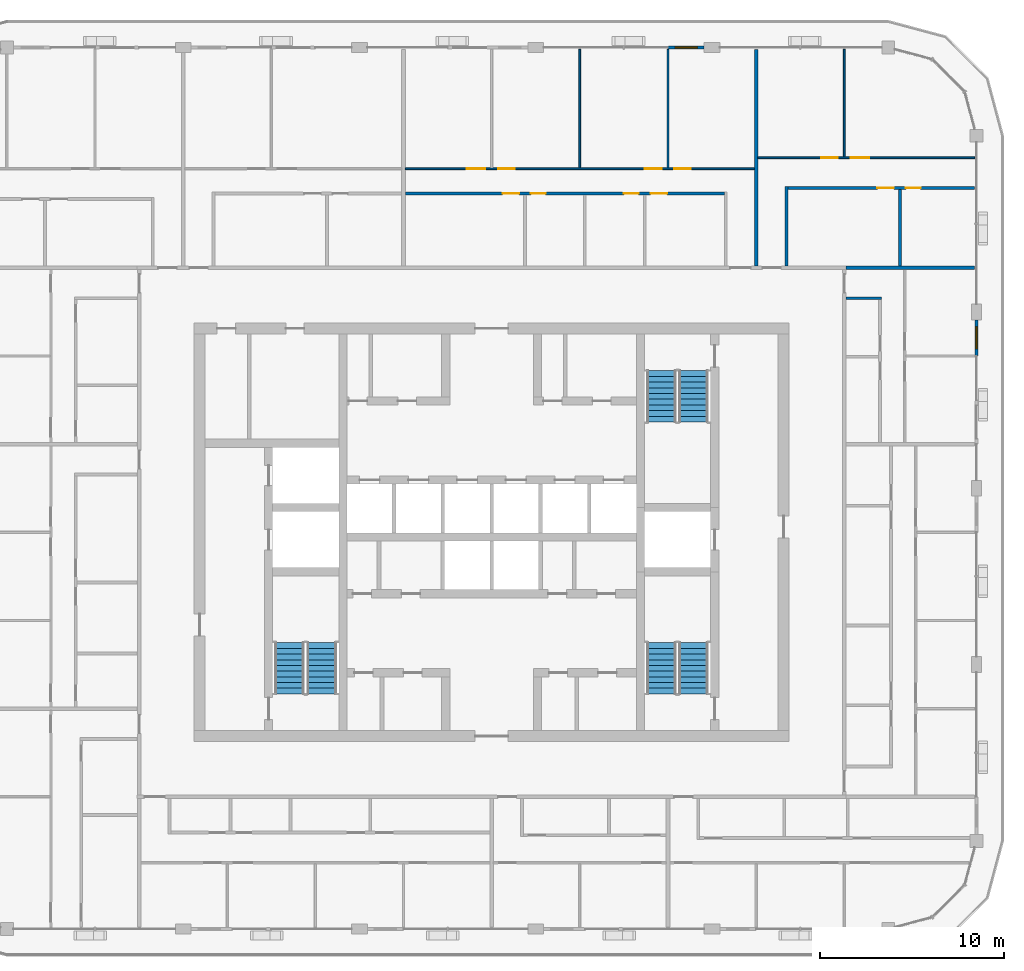
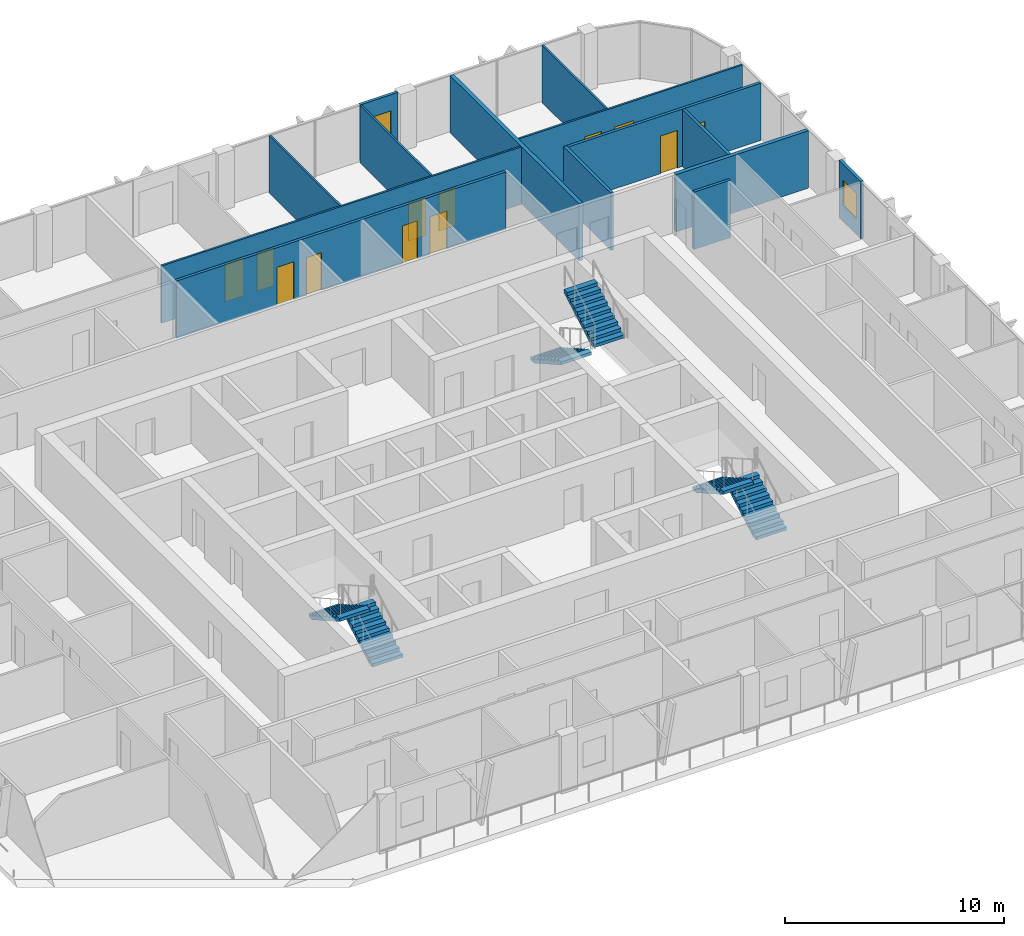
# One storey, part 15 of 21: 14 walls, 12 doors, 6 stair flights, 2 windows, 14 openings, 3 elements without a shape of their own.
"""IFC4 building model written with IfcOpenShell, lengths in metres."""

import ifcopenshell
import ifcopenshell.guid

model = None  # the IFC model being written
_history = None  # IfcOwnerHistory: only IFC2X3 demands one
_inside = {}  # id of a spatial element -> (the spatial element, [elements in it])
_under = {}  # id of a project, library or spatial element -> (it, [spatial elements below it])
_declared = {}  # id of a project -> (the project, [libraries it declares])
_typed = {}  # id of a type object -> (the type object, [elements of that type])
_made_of = {}  # id of a material, layer set ... -> (it, [elements and type objects made of it])


def new_model(schema):
    """Start an empty IFC model of exactly this schema.

    Asked for "IFC4X3", IfcOpenShell would pick the latest addendum, in which some entities
    have other attributes; the version numbers below select the first issue.
    IFC2X3 requires an IfcOwnerHistory on every rooted entity: one is made here for all.
    """
    global model, _history
    if schema == "IFC4X3":
        model = ifcopenshell.file(schema_version=(4, 3, 0, 0))
    else:
        model = ifcopenshell.file(schema=schema)
    _inside.clear()
    _under.clear()
    _declared.clear()
    _typed.clear()
    _made_of.clear()
    _history = None
    if model.schema == "IFC2X3":
        org = make("IfcOrganization", Name="unknown")
        user = make(
            "IfcPersonAndOrganization",
            ThePerson=make("IfcPerson", FamilyName="unknown"),
            TheOrganization=org,
        )
        app = make(
            "IfcApplication",
            ApplicationDeveloper=org,
            Version="unknown",
            ApplicationFullName="unknown",
            ApplicationIdentifier="unknown",
        )
        _history = make(
            "IfcOwnerHistory",
            OwningUser=user,
            OwningApplication=app,
            ChangeAction="ADDED",
            CreationDate=0,
        )
    return model


def make(cls, **values):
    """One entity of the class cls with the attributes given. An attribute that is None is left unset."""
    return model.create_entity(
        cls, **{name: value for name, value in values.items() if value is not None}
    )


def rooted(cls, **values):
    """An entity with a GlobalId (a new one), such as an element, a storey or a relation."""
    return make(cls, GlobalId=ifcopenshell.guid.new(), OwnerHistory=_history, **values)


def si_unit(unit_type, name, prefix=None):
    """IfcSIUnit, for example si_unit("LENGTHUNIT", "METRE", prefix="MILLI")."""
    return make("IfcSIUnit", UnitType=unit_type, Prefix=prefix, Name=name)


def assignment(units):
    """IfcUnitAssignment: the units of a project."""
    return None if units is None else make("IfcUnitAssignment", Units=units)


def point(xyz):
    """IfcCartesianPoint."""
    return None if xyz is None else make("IfcCartesianPoint", Coordinates=xyz)


def direction(xyz):
    """IfcDirection."""
    return None if xyz is None else make("IfcDirection", DirectionRatios=xyz)


def frame(location, z_axis=None, x_axis=None):
    """IfcAxis2Placement3D, a coordinate frame: its origin and axes. An axis left out is left unset."""
    return make(
        "IfcAxis2Placement3D",
        Location=point(location),
        Axis=direction(z_axis),
        RefDirection=direction(x_axis),
    )


def frame_2d(location, x_axis=None):
    """IfcAxis2Placement2D, a coordinate frame in the plane: its origin and x axis."""
    return make(
        "IfcAxis2Placement2D", Location=point(location), RefDirection=direction(x_axis)
    )


def origin():
    """The frame at (0, 0, 0) with its axes left unset."""
    return frame((0.0, 0.0, 0.0))


def place(relative_to, where):
    """IfcLocalPlacement: puts the frame where relative to a parent placement (None: the world)."""
    return make(
        "IfcLocalPlacement", PlacementRelTo=relative_to, RelativePlacement=where
    )


def context(
    kind, dimensions, precision=None, world=None, true_north=None, identifier=None
):
    """IfcGeometricRepresentationContext, for example the 3D "Model" context."""
    return make(
        "IfcGeometricRepresentationContext",
        ContextIdentifier=identifier,
        ContextType=kind,
        CoordinateSpaceDimension=dimensions,
        Precision=precision,
        WorldCoordinateSystem=world,
        TrueNorth=true_north,
    )


def subcontext(parent, identifier, kind, view, scale=None):
    """IfcGeometricRepresentationSubContext, for example "Body" below "Model"."""
    return make(
        "IfcGeometricRepresentationSubContext",
        ContextIdentifier=identifier,
        ContextType=kind,
        ParentContext=parent,
        TargetScale=scale,
        TargetView=view,
    )


def project(units=None, contexts=None):
    """IfcProject with its units and contexts."""
    return rooted(
        "IfcProject",
        Name="project",
        RepresentationContexts=contexts,
        UnitsInContext=assignment(units),
    )


def spatial(cls, under=None, at=None, **own):
    """A site, building, storey or space (cls), placed at a placement, below another one or the project."""
    s = rooted(cls, ObjectPlacement=at, **own)
    if under is not None:
        _under.setdefault(under.id(), (under, []))[1].append(s)
    return s


def polyline(points):
    """IfcPolyline through the points."""
    return make("IfcPolyline", Points=[point(p) for p in points])


def profile(cls, at=None, kind="AREA", **sizes):
    """A parametric profile (cls). Its sizes go by their IFC names, for example OverallWidth=200.0."""
    return make(cls, ProfileType=kind, Position=at, **sizes)


def rectangle(**sizes):
    """IfcRectangleProfileDef."""
    return profile("IfcRectangleProfileDef", **sizes)


def outline(outer, holes=None, kind="AREA"):
    """IfcArbitraryClosedProfileDef: a profile drawn as a closed curve; with holes, ...WithVoids."""
    if holes is None:
        return make("IfcArbitraryClosedProfileDef", ProfileType=kind, OuterCurve=outer)
    return make(
        "IfcArbitraryProfileDefWithVoids",
        ProfileType=kind,
        OuterCurve=outer,
        InnerCurves=holes,
    )


def extrude(swept, where, along, depth):
    """IfcExtrudedAreaSolid: the profile swept, set in the frame where, extruded along a direction by depth."""
    return make(
        "IfcExtrudedAreaSolid",
        SweptArea=swept,
        Position=where,
        ExtrudedDirection=direction(along),
        Depth=depth,
    )


def shape(context_of_items, identifier, shape_type, items):
    """IfcShapeRepresentation: the items that make up one representation, for example the "Body"."""
    return make(
        "IfcShapeRepresentation",
        ContextOfItems=context_of_items,
        RepresentationIdentifier=identifier,
        RepresentationType=shape_type,
        Items=items,
    )


def material(Name=None, Category=None):
    """IfcMaterial."""
    return make("IfcMaterial", Name=Name, Category=Category)


def layer(
    of_material, thickness, ventilated=None, Name=None, Category=None, Priority=None
):
    """IfcMaterialLayer: one layer of a wall or slab, of a material (None: an air gap)."""
    return make(
        "IfcMaterialLayer",
        Material=of_material,
        LayerThickness=thickness,
        IsVentilated=ventilated,
        Name=Name,
        Category=Category,
        Priority=Priority,
    )


def layer_set(layers, Name=None):
    """IfcMaterialLayerSet."""
    return make("IfcMaterialLayerSet", MaterialLayers=layers, LayerSetName=Name)


def made_of(thing, what):
    """Note that an element or type object is made of a material, layer set ...; save() writes the relation."""
    if what is not None:
        _made_of.setdefault(what.id(), (what, []))[1].append(thing)
    return thing


def type_object(cls, material=None, **own):
    """A type object (cls), such as IfcWallType, which elements share."""
    return made_of(rooted(cls, **own), material)


def element(
    cls,
    number,
    at=None,
    inside=None,
    cuts=None,
    type_object=None,
    material=None,
    context=None,
    identifier="Body",
    shape_type=None,
    held_by="IfcProductDefinitionShape",
    body=None,
    shapes=None,
    **own,
):
    """One element of the class cls, such as IfcWall. Its Tag is "e" and its number.

    at: its placement. inside: the storey or other place that contains it. cuts: it is an
    opening in that element (IfcRelVoidsElement). A single representation is given by context,
    identifier, shape_type and body (its items); several are given by shapes. held_by: the class
    of the entity that holds the representations. save() writes the other relations.
    """
    e = rooted(cls, Tag="e%d" % number, ObjectPlacement=at, **own)
    if body is not None:
        shapes = [shape(context, identifier, shape_type, body)]
    if shapes is not None:
        e.Representation = make(held_by, Representations=shapes)
    if inside is not None:
        _inside.setdefault(inside.id(), (inside, []))[1].append(e)
    if cuts is not None:
        rooted(
            "IfcRelVoidsElement", RelatingBuildingElement=cuts, RelatedOpeningElement=e
        )
    if type_object is not None:
        _typed.setdefault(type_object.id(), (type_object, []))[1].append(e)
    return made_of(e, material)


def fill(opening, filler):
    """IfcRelFillsElement: the door or window that sits in an opening."""
    return rooted(
        "IfcRelFillsElement",
        RelatingOpeningElement=opening,
        RelatedBuildingElement=filler,
    )


def aggregate(whole, parts):
    """IfcRelAggregates: a whole, such as a stair, and the parts it consists of."""
    return rooted("IfcRelAggregates", RelatingObject=whole, RelatedObjects=parts)


def save(model, path):
    """Write the relations noted so far, then the file.

    IfcRelAggregates (storeys below a building ...), IfcRelContainedInSpatialStructure (elements
    in a storey), IfcRelDefinesByType, IfcRelAssociatesMaterial and IfcRelDeclares: one each for
    every whole, place, type object, material and project.
    """
    for whole, parts in _under.values():
        aggregate(whole, parts)
    for where, things in _inside.values():
        rooted(
            "IfcRelContainedInSpatialStructure",
            RelatedElements=things,
            RelatingStructure=where,
        )
    for kind, things in _typed.values():
        rooted("IfcRelDefinesByType", RelatedObjects=things, RelatingType=kind)
    for what, things in _made_of.values():
        rooted("IfcRelAssociatesMaterial", RelatedObjects=things, RelatingMaterial=what)
    for by, libraries in _declared.values():
        rooted("IfcRelDeclares", RelatingContext=by, RelatedDefinitions=libraries)
    model.write(path)


model = new_model("IFC4")

# Units and contexts
model_context = context("Model", 3, precision=1e-05, world=origin(), true_north=direction((0.0, 1.0)))
body_context = subcontext(model_context, "Body", "Model", "MODEL_VIEW")
ifc_project = project(units=[si_unit("LENGTHUNIT", "METRE"), si_unit("AREAUNIT", "SQUARE_METRE"), si_unit("VOLUMEUNIT", "CUBIC_METRE"), si_unit("PLANEANGLEUNIT", "RADIAN"), si_unit("MASSUNIT", "GRAM", prefix="KILO")], contexts=[model_context])

# Site, building, storey
site_placement = place(None, origin())
site = spatial("IfcSite", under=ifc_project, at=site_placement, CompositionType="ELEMENT")
building_placement = place(site_placement, origin())
building = spatial("IfcBuilding", under=site, at=building_placement, Name="Madar Terraces", CompositionType="ELEMENT")
storey_placement = place(building_placement, frame((0.0, 0.0, 245.699951171875)))
storey = spatial("IfcBuildingStorey", under=building, at=storey_placement, Name="L64", CompositionType="ELEMENT", Elevation=245.699951171875)

# Wall, opening, window
ifc_material_1 = material(Name="Aluminium composite panel, black, over insulated backing", Category="aluminium")
ifc_layer_1 = layer(ifc_material_1, 0.14990234375)
ifc_layer_set_1 = layer_set([ifc_layer_1], Name="Facade bay panel 150")
wall_type_1 = type_object("IfcWallType", Name="Facade bay panel 150", PredefinedType="SOLIDWALL", material=ifc_layer_set_1)
wall_1_placement = place(storey_placement, frame((57.60009765625, 36.0, 0.0), z_axis=(0.0, 0.0, 1.0), x_axis=(0.0, 1.0, 0.0)))
wall_1 = element("IfcWall", 1, at=wall_1_placement, inside=storey, type_object=wall_type_1, Name="Facade bay panel", PredefinedType="SOLIDWALL", context=body_context, shape_type="SweptSolid", body=[
    extrude(rectangle(XDim=1.97509765625, YDim=0.14990234375, at=frame_2d((0.987548828125, 0.0))), origin(), (0.0, 0.0, 1.0), 3.199951171875),
])
opening_1_placement = place(wall_1_placement, frame((0.387451171875, 0.0, 0.89990234375)))
opening_1 = element("IfcOpeningElement", 2, at=opening_1_placement, cuts=wall_1, Name="Opening W1", PredefinedType="OPENING", context=body_context, shape_type="SweptSolid", body=[
    extrude(rectangle(XDim=1.199951171875, YDim=1.39990234375, at=frame_2d((0.60009765625, 0.699951171875))), frame((0.0, 0.0849609375, 0.0), z_axis=(0.0, -1.0, 0.0), x_axis=(1.0, 0.0, 0.0)), (0.0, 0.0, 1.0), 0.169921875),
])
ifc_material_2 = material(Name="Glass, clear, with black aluminium frame", Category="aluminium")
window_type = type_object("IfcWindowType", Name="Vent window 1200 x 1400", PartitioningType="SINGLE_PANEL", PredefinedType="WINDOW", material=ifc_material_2)
window_1_placement = place(opening_1_placement, origin())
window_1 = element("IfcWindow", 3, at=window_1_placement, inside=storey, type_object=window_type, Name="Operable vent window", OverallHeight=1.39990234375, OverallWidth=1.199951171875, PartitioningType="SINGLE_PANEL", PredefinedType="WINDOW", context=body_context, shape_type="SweptSolid", body=[
    extrude(rectangle(XDim=1.199951171875, YDim=1.39990234375, at=frame_2d((0.60009765625, 0.699951171875))), frame((0.0, 0.030029296875, 0.0), z_axis=(0.0, -1.0, 0.0), x_axis=(1.0, 0.0, 0.0)), (0.0, 0.0, 1.0), 0.06005859375),
])
fill(opening_1, window_1)

wall_2_placement = place(storey_placement, frame((42.77490234375, 52.800048828125, 0.0), z_axis=(0.0, 0.0, 1.0), x_axis=(-1.0, 0.0, 0.0)))
wall_2 = element("IfcWall", 4, at=wall_2_placement, inside=storey, type_object=wall_type_1, Name="Facade bay panel", PredefinedType="SOLIDWALL", context=body_context, shape_type="SweptSolid", body=[
    extrude(rectangle(XDim=1.974853515625, YDim=0.14990234375, at=frame_2d((0.9873046875, 0.0))), origin(), (0.0, 0.0, 1.0), 3.199951171875),
])
opening_2_placement = place(wall_2_placement, frame((0.387451171875, 0.0, 0.89990234375)))
opening_2 = element("IfcOpeningElement", 5, at=opening_2_placement, cuts=wall_2, Name="Opening W1", PredefinedType="OPENING", context=body_context, shape_type="SweptSolid", body=[
    extrude(rectangle(XDim=1.199951171875, YDim=1.39990234375, at=frame_2d((0.60009765625, 0.699951171875))), frame((0.0, 0.0849609375, 0.0), z_axis=(0.0, -1.0, 0.0), x_axis=(1.0, 0.0, 0.0)), (0.0, 0.0, 1.0), 0.169921875),
])
window_2_placement = place(opening_2_placement, origin())
window_2 = element("IfcWindow", 6, at=window_2_placement, inside=storey, type_object=window_type, Name="Operable vent window", OverallHeight=1.39990234375, OverallWidth=1.199951171875, PartitioningType="SINGLE_PANEL", PredefinedType="WINDOW", context=body_context, shape_type="SweptSolid", body=[
    extrude(rectangle(XDim=1.199951171875, YDim=1.39990234375, at=frame_2d((0.60009765625, 0.699951171875))), frame((0.0, 0.030029296875, 0.0), z_axis=(0.0, -1.0, 0.0), x_axis=(1.0, 0.0, 0.0)), (0.0, 0.0, 1.0), 0.06005859375),
])
fill(opening_2, window_2)

# Wall
ifc_material_3 = material(Name="Gypsum board on steel studs", Category="steel")
ifc_layer_2 = layer(ifc_material_3, 0.10009765625)
ifc_layer_set_2 = layer_set([ifc_layer_2], Name="Flat partition 100")
wall_type_2 = type_object("IfcWallType", Name="Flat partition 100", PredefinedType="PARTITIONING", material=ifc_layer_set_2)
wall_3_placement = place(storey_placement, frame((50.39990234375, 46.85009765625, 0.0), z_axis=(0.0, 0.0, 1.0), x_axis=(0.0, 1.0, 0.0)))
element("IfcWall", 7, at=wall_3_placement, inside=storey, type_object=wall_type_2, Name="Flat partition 100", PredefinedType="PARTITIONING", context=body_context, shape_type="SweptSolid", body=[
    extrude(rectangle(XDim=5.849853515625, YDim=0.10009765625, at=frame_2d((2.9248046875, 0.0))), origin(), (0.0, 0.0, 1.0), 3.199951171875),
])

# Wall, openings, doors
wall_4_placement = place(storey_placement, frame((45.699951171875, 46.800048828125, 0.0), z_axis=(0.0, 0.0, 1.0), x_axis=(1.0, 0.0, 0.0)))
wall_4 = element("IfcWall", 8, at=wall_4_placement, inside=storey, type_object=wall_type_2, Name="Flat partition 100", PredefinedType="PARTITIONING", context=body_context, shape_type="SweptSolid", body=[
    extrude(rectangle(XDim=11.800048828125, YDim=0.10009765625, at=frame_2d((5.89990234375, 0.0))), origin(), (0.0, 0.0, 1.0), 3.199951171875),
])
opening_3_placement = place(wall_4_placement, frame((3.449951171875, 0.0, 0.0)))
opening_3 = element("IfcOpeningElement", 9, at=opening_3_placement, cuts=wall_4, Name="Opening D2", PredefinedType="OPENING", context=body_context, shape_type="SweptSolid", body=[
    extrude(rectangle(XDim=0.89990234375, YDim=2.10009765625, at=frame_2d((0.449951171875, 1.050048828125))), frame((0.0, 0.06005859375, 0.0), z_axis=(0.0, -1.0, 0.0), x_axis=(1.0, 0.0, 0.0)), (0.0, 0.0, 1.0), 0.1201171875),
])
opening_4_placement = place(wall_4_placement, frame((5.050048828125, 0.0, 0.0)))
opening_4 = element("IfcOpeningElement", 10, at=opening_4_placement, cuts=wall_4, Name="Opening D3", PredefinedType="OPENING", context=body_context, shape_type="SweptSolid", body=[
    extrude(rectangle(XDim=1.0, YDim=2.10009765625, at=frame_2d((0.5, 1.050048828125))), frame((0.0, 0.06005859375, 0.0), z_axis=(0.0, -1.0, 0.0), x_axis=(1.0, 0.0, 0.0)), (0.0, 0.0, 1.0), 0.1201171875),
])
ifc_material_4 = material(Name="Timber door leaf", Category="wood")
door_type_1 = type_object("IfcDoorType", Name="Flat living room door 1000", OperationType="NOTDEFINED", PredefinedType="DOOR", material=ifc_material_4)
door_1_placement = place(opening_4_placement, origin())
door_1 = element("IfcDoor", 11, at=door_1_placement, inside=storey, type_object=door_type_1, Name="Flat living room door 1000", OperationType="SINGLE_SWING_LEFT", OverallHeight=2.10009765625, OverallWidth=1.0, PredefinedType="DOOR", context=body_context, shape_type="SweptSolid", body=[
    extrude(rectangle(XDim=1.0, YDim=2.10009765625, at=frame_2d((0.5, 1.050048828125))), frame((0.0, 0.02490234375, 0.0), z_axis=(0.0, -1.0, 0.0), x_axis=(1.0, 0.0, 0.0)), (0.0, 0.0, 1.0), 0.050048828125),
])
fill(opening_4, door_1)
ifc_material_5 = material(Name="Timber door leaf", Category="wood")
door_type_2 = type_object("IfcDoorType", Name="Flat room door 900", OperationType="NOTDEFINED", PredefinedType="DOOR", material=ifc_material_5)
door_2_placement = place(opening_3_placement, origin())
door_2 = element("IfcDoor", 12, at=door_2_placement, inside=storey, type_object=door_type_2, Name="Flat room door 900", OperationType="SINGLE_SWING_RIGHT", OverallHeight=2.10009765625, OverallWidth=0.89990234375, PredefinedType="DOOR", context=body_context, shape_type="SweptSolid", body=[
    extrude(rectangle(XDim=0.89990234375, YDim=2.10009765625, at=frame_2d((0.449951171875, 1.050048828125))), frame((0.0, 0.02490234375, 0.0), z_axis=(0.0, -1.0, 0.0), x_axis=(1.0, 0.0, 0.0)), (0.0, 0.0, 1.0), 0.050048828125),
])
fill(opening_3, door_2)

# Walls
for number, where, z_axis, x_axis, name in (
    (13, (40.800048828125, 46.25, 0.0), (0.0, 0.0, 1.0), (0.0, 1.0, 0.0), "Flat partition 100"),
    (14, (36.0, 46.25, 0.0), (0.0, 0.0, 1.0), (0.0, 1.0, 0.0), "Flat partition 100"),
):
    element("IfcWall", number, at=place(storey_placement, frame(where, z_axis=z_axis, x_axis=x_axis)), inside=storey, type_object=wall_type_2, Name=name, PredefinedType="PARTITIONING", context=body_context, shape_type="SweptSolid", body=[
        extrude(rectangle(XDim=6.449951171875, YDim=0.10009765625, at=frame_2d((3.22509765625, 0.0))), origin(), (0.0, 0.0, 1.0), 3.199951171875),
    ])

# Wall, openings, doors
wall_5_placement = place(storey_placement, frame((26.5, 46.199951171875, 0.0), z_axis=(0.0, 0.0, 1.0), x_axis=(1.0, 0.0, 0.0)))
wall_5 = element("IfcWall", 15, at=wall_5_placement, inside=storey, type_object=wall_type_2, Name="Flat partition 100", PredefinedType="PARTITIONING", context=body_context, shape_type="SweptSolid", body=[
    extrude(rectangle(XDim=19.0, YDim=0.10009765625, at=frame_2d((9.5, 0.0))), origin(), (0.0, 0.0, 1.0), 3.199951171875),
])
opening_5_placement = place(wall_5_placement, frame((14.64990234375, 0.0, 0.0)))
opening_5 = element("IfcOpeningElement", 16, at=opening_5_placement, cuts=wall_5, Name="Opening D2", PredefinedType="OPENING", context=body_context, shape_type="SweptSolid", body=[
    extrude(rectangle(XDim=0.89990234375, YDim=2.10009765625, at=frame_2d((0.449951171875, 1.050048828125))), frame((0.0, 0.06005859375, 0.0), z_axis=(0.0, -1.0, 0.0), x_axis=(1.0, 0.0, 0.0)), (0.0, 0.0, 1.0), 0.1201171875),
])
opening_6_placement = place(wall_5_placement, frame((13.050048828125, 0.0, 0.0)))
opening_6 = element("IfcOpeningElement", 17, at=opening_6_placement, cuts=wall_5, Name="Opening D2", PredefinedType="OPENING", context=body_context, shape_type="SweptSolid", body=[
    extrude(rectangle(XDim=0.89990234375, YDim=2.10009765625, at=frame_2d((0.449951171875, 1.050048828125))), frame((0.0, 0.06005859375, 0.0), z_axis=(0.0, -1.0, 0.0), x_axis=(1.0, 0.0, 0.0)), (0.0, 0.0, 1.0), 0.1201171875),
])
opening_7_placement = place(wall_5_placement, frame((5.050048828125, 0.0, 0.0)))
opening_7 = element("IfcOpeningElement", 18, at=opening_7_placement, cuts=wall_5, Name="Opening D2", PredefinedType="OPENING", context=body_context, shape_type="SweptSolid", body=[
    extrude(rectangle(XDim=0.89990234375, YDim=2.10009765625, at=frame_2d((0.449951171875, 1.050048828125))), frame((0.0, 0.06005859375, 0.0), z_axis=(0.0, -1.0, 0.0), x_axis=(1.0, 0.0, 0.0)), (0.0, 0.0, 1.0), 0.1201171875),
])
opening_8_placement = place(wall_5_placement, frame((3.35009765625, 0.0, 0.0)))
opening_8 = element("IfcOpeningElement", 19, at=opening_8_placement, cuts=wall_5, Name="Opening D3", PredefinedType="OPENING", context=body_context, shape_type="SweptSolid", body=[
    extrude(rectangle(XDim=1.0, YDim=2.10009765625, at=frame_2d((0.5, 1.050048828125))), frame((0.0, 0.06005859375, 0.0), z_axis=(0.0, -1.0, 0.0), x_axis=(1.0, 0.0, 0.0)), (0.0, 0.0, 1.0), 0.1201171875),
])
door_3_placement = place(opening_8_placement, origin())
door_3 = element("IfcDoor", 20, at=door_3_placement, inside=storey, type_object=door_type_1, Name="Flat living room door 1000", OperationType="SINGLE_SWING_RIGHT", OverallHeight=2.10009765625, OverallWidth=1.0, PredefinedType="DOOR", context=body_context, shape_type="SweptSolid", body=[
    extrude(rectangle(XDim=1.0, YDim=2.10009765625, at=frame_2d((0.5, 1.050048828125))), frame((0.0, 0.02490234375, 0.0), z_axis=(0.0, -1.0, 0.0), x_axis=(1.0, 0.0, 0.0)), (0.0, 0.0, 1.0), 0.050048828125),
])
fill(opening_8, door_3)
door_4_placement = place(opening_5_placement, origin())
door_4 = element("IfcDoor", 21, at=door_4_placement, inside=storey, type_object=door_type_2, Name="Flat room door 900", OperationType="SINGLE_SWING_LEFT", OverallHeight=2.10009765625, OverallWidth=0.89990234375, PredefinedType="DOOR", context=body_context, shape_type="SweptSolid", body=[
    extrude(rectangle(XDim=0.89990234375, YDim=2.10009765625, at=frame_2d((0.449951171875, 1.050048828125))), frame((0.0, 0.02490234375, 0.0), z_axis=(0.0, -1.0, 0.0), x_axis=(1.0, 0.0, 0.0)), (0.0, 0.0, 1.0), 0.050048828125),
])
fill(opening_5, door_4)
door_5_placement = place(opening_6_placement, origin())
door_5 = element("IfcDoor", 22, at=door_5_placement, inside=storey, type_object=door_type_2, Name="Flat room door 900", OperationType="SINGLE_SWING_RIGHT", OverallHeight=2.10009765625, OverallWidth=0.89990234375, PredefinedType="DOOR", context=body_context, shape_type="SweptSolid", body=[
    extrude(rectangle(XDim=0.89990234375, YDim=2.10009765625, at=frame_2d((0.449951171875, 1.050048828125))), frame((0.0, 0.02490234375, 0.0), z_axis=(0.0, -1.0, 0.0), x_axis=(1.0, 0.0, 0.0)), (0.0, 0.0, 1.0), 0.050048828125),
])
fill(opening_6, door_5)
door_6_placement = place(opening_7_placement, origin())
door_6 = element("IfcDoor", 23, at=door_6_placement, inside=storey, type_object=door_type_2, Name="Flat room door 900", OperationType="SINGLE_SWING_LEFT", OverallHeight=2.10009765625, OverallWidth=0.89990234375, PredefinedType="DOOR", context=body_context, shape_type="SweptSolid", body=[
    extrude(rectangle(XDim=0.89990234375, YDim=2.10009765625, at=frame_2d((0.449951171875, 1.050048828125))), frame((0.0, 0.02490234375, 0.0), z_axis=(0.0, -1.0, 0.0), x_axis=(1.0, 0.0, 0.0)), (0.0, 0.0, 1.0), 0.050048828125),
])
fill(opening_7, door_6)

# Walls
ifc_material_6 = material(Name="Lightweight blockwork", Category="masonry")
ifc_layer_3 = layer(ifc_material_6, 0.199951171875)
ifc_layer_set_3 = layer_set([ifc_layer_3], Name="Flat party and entrance wall 200")
wall_type_3 = type_object("IfcWallType", Name="Flat party and entrance wall 200", PredefinedType="PARTITIONING", material=ifc_layer_set_3)
wall_6_placement = place(storey_placement, frame((50.5, 40.800048828125, 0.0), z_axis=(0.0, 0.0, 1.0), x_axis=(1.0, 0.0, 0.0)))
element("IfcWall", 24, at=wall_6_placement, inside=storey, type_object=wall_type_3, Name="Flat party and entrance wall 200", PredefinedType="PARTITIONING", context=body_context, shape_type="SweptSolid", body=[
    extrude(rectangle(XDim=7.0, YDim=0.199951171875, at=frame_2d((3.5, 0.0))), origin(), (0.0, 0.0, 1.0), 3.199951171875),
])
wall_7_placement = place(storey_placement, frame((45.60009765625, 52.699951171875, 0.0), z_axis=(0.0, 0.0, 1.0), x_axis=(0.0, -1.0, 0.0)))
element("IfcWall", 25, at=wall_7_placement, inside=storey, type_object=wall_type_3, Name="Flat party and entrance wall 200", PredefinedType="PARTITIONING", context=body_context, shape_type="SweptSolid", body=[
    extrude(rectangle(XDim=11.800048828125, YDim=0.199951171875, at=frame_2d((5.89990234375, 0.0))), origin(), (0.0, 0.0, 1.0), 3.199951171875),
])
ifc_material_7 = material(Name="Lightweight blockwork", Category="masonry")
ifc_layer_4 = layer(ifc_material_7, 0.14990234375)
ifc_layer_set_4 = layer_set([ifc_layer_4], Name="Flat wet-room partition 150")
wall_type_4 = type_object("IfcWallType", Name="Flat wet-room partition 150", PredefinedType="PARTITIONING", material=ifc_layer_set_4)
wall_8_placement = place(storey_placement, frame((50.5, 39.14990234375, 0.0), z_axis=(0.0, 0.0, 1.0), x_axis=(1.0, 0.0, 0.0)))
element("IfcWall", 26, at=wall_8_placement, inside=storey, type_object=wall_type_4, Name="Flat wet-room partition 150", PredefinedType="PARTITIONING", context=body_context, shape_type="SweptSolid", body=[
    extrude(rectangle(XDim=1.925048828125, YDim=0.14990234375, at=frame_2d((0.96240234375, 0.0))), origin(), (0.0, 0.0, 1.0), 3.199951171875),
])
wall_9_placement = place(storey_placement, frame((53.429931640625, 40.89990234375, 0.0), z_axis=(0.0, 0.0, 1.0), x_axis=(0.0, 1.0, 0.0)))
element("IfcWall", 27, at=wall_9_placement, inside=storey, type_object=wall_type_4, Name="Flat wet-room partition 150", PredefinedType="PARTITIONING", context=body_context, shape_type="SweptSolid", body=[
    extrude(rectangle(XDim=4.175048828125, YDim=0.14990234375, at=frame_2d((2.08740234375, 0.0))), origin(), (0.0, 0.0, 1.0), 3.199951171875),
])
wall_10_placement = place(storey_placement, frame((47.25, 40.89990234375, 0.0), z_axis=(0.0, 0.0, 1.0), x_axis=(0.0, 1.0, 0.0)))
element("IfcWall", 28, at=wall_10_placement, inside=storey, type_object=wall_type_4, Name="Flat wet-room partition 150", PredefinedType="PARTITIONING", context=body_context, shape_type="SweptSolid", body=[
    extrude(rectangle(XDim=4.3251953125, YDim=0.14990234375, at=frame_2d((2.16259765625, 0.0))), origin(), (0.0, 0.0, 1.0), 3.199951171875),
])

# Wall, openings, doors
wall_11_placement = place(storey_placement, frame((57.5, 45.14990234375, 0.0), z_axis=(0.0, 0.0, 1.0), x_axis=(-1.0, 0.0, 0.0)))
wall_11 = element("IfcWall", 29, at=wall_11_placement, inside=storey, type_object=wall_type_4, Name="Flat wet-room partition 150", PredefinedType="PARTITIONING", context=body_context, shape_type="SweptSolid", body=[
    extrude(rectangle(XDim=10.175048828125, YDim=0.14990234375, at=frame_2d((5.08740234375, 0.0))), origin(), (0.0, 0.0, 1.0), 3.199951171875),
])
opening_9_placement = place(wall_11_placement, frame((4.39501953125, 0.0, 0.0)))
opening_9 = element("IfcOpeningElement", 30, at=opening_9_placement, cuts=wall_11, Name="Opening D2", PredefinedType="OPENING", context=body_context, shape_type="SweptSolid", body=[
    extrude(rectangle(XDim=0.89990234375, YDim=2.10009765625, at=frame_2d((0.449951171875, 1.050048828125))), frame((0.0, 0.0849609375, 0.0), z_axis=(0.0, -1.0, 0.0), x_axis=(1.0, 0.0, 0.0)), (0.0, 0.0, 1.0), 0.169921875),
])
opening_10_placement = place(wall_11_placement, frame((2.945068359375, 0.0, 0.0)))
opening_10 = element("IfcOpeningElement", 31, at=opening_10_placement, cuts=wall_11, Name="Opening D4", PredefinedType="OPENING", context=body_context, shape_type="SweptSolid", body=[
    extrude(rectangle(XDim=0.800048828125, YDim=2.10009765625, at=frame_2d((0.39990234375, 1.050048828125))), frame((0.0, 0.0849609375, 0.0), z_axis=(0.0, -1.0, 0.0), x_axis=(1.0, 0.0, 0.0)), (0.0, 0.0, 1.0), 0.169921875),
])
ifc_material_8 = material(Name="Timber door leaf", Category="wood")
door_type_3 = type_object("IfcDoorType", Name="Flat bathroom door 800", OperationType="NOTDEFINED", PredefinedType="DOOR", material=ifc_material_8)
door_7_placement = place(opening_10_placement, origin())
door_7 = element("IfcDoor", 32, at=door_7_placement, inside=storey, type_object=door_type_3, Name="Flat bathroom door 800", OperationType="SINGLE_SWING_RIGHT", OverallHeight=2.10009765625, OverallWidth=0.800048828125, PredefinedType="DOOR", context=body_context, shape_type="SweptSolid", body=[
    extrude(rectangle(XDim=0.800048828125, YDim=2.10009765625, at=frame_2d((0.39990234375, 1.050048828125))), frame((0.0, 0.02490234375, 0.0), z_axis=(0.0, -1.0, 0.0), x_axis=(1.0, 0.0, 0.0)), (0.0, 0.0, 1.0), 0.050048828125),
])
fill(opening_10, door_7)
door_8_placement = place(opening_9_placement, origin())
door_8 = element("IfcDoor", 33, at=door_8_placement, inside=storey, type_object=door_type_2, Name="Flat room door 900", OperationType="SINGLE_SWING_LEFT", OverallHeight=2.10009765625, OverallWidth=0.89990234375, PredefinedType="DOOR", context=body_context, shape_type="SweptSolid", body=[
    extrude(rectangle(XDim=0.89990234375, YDim=2.10009765625, at=frame_2d((0.449951171875, 1.050048828125))), frame((0.0, 0.02490234375, 0.0), z_axis=(0.0, -1.0, 0.0), x_axis=(1.0, 0.0, 0.0)), (0.0, 0.0, 1.0), 0.050048828125),
])
fill(opening_9, door_8)

wall_12_placement = place(storey_placement, frame((43.875, 44.85009765625, 0.0), z_axis=(0.0, 0.0, 1.0), x_axis=(-1.0, 0.0, 0.0)))
wall_12 = element("IfcWall", 34, at=wall_12_placement, inside=storey, type_object=wall_type_4, Name="Flat wet-room partition 150", PredefinedType="PARTITIONING", context=body_context, shape_type="SweptSolid", body=[
    extrude(rectangle(XDim=17.375, YDim=0.14990234375, at=frame_2d((8.6875, 0.0))), origin(), (0.0, 0.0, 1.0), 3.199951171875),
])
opening_11_placement = place(wall_12_placement, frame((3.118896484375, 0.0, 0.0)))
opening_11 = element("IfcOpeningElement", 35, at=opening_11_placement, cuts=wall_12, Name="Opening D5", PredefinedType="OPENING", context=body_context, shape_type="SweptSolid", body=[
    extrude(rectangle(XDim=0.89990234375, YDim=2.10009765625, at=frame_2d((0.449951171875, 1.050048828125))), frame((0.0, 0.0849609375, 0.0), z_axis=(0.0, -1.0, 0.0), x_axis=(1.0, 0.0, 0.0)), (0.0, 0.0, 1.0), 0.169921875),
])
opening_12_placement = place(wall_12_placement, frame((4.668701171875, 0.0, 0.0)))
opening_12 = element("IfcOpeningElement", 36, at=opening_12_placement, cuts=wall_12, Name="Opening D4", PredefinedType="OPENING", context=body_context, shape_type="SweptSolid", body=[
    extrude(rectangle(XDim=0.800048828125, YDim=2.10009765625, at=frame_2d((0.39990234375, 1.050048828125))), frame((0.0, 0.0849609375, 0.0), z_axis=(0.0, -1.0, 0.0), x_axis=(1.0, 0.0, 0.0)), (0.0, 0.0, 1.0), 0.169921875),
])
opening_13_placement = place(wall_12_placement, frame((9.734375, 0.0, 0.0)))
opening_13 = element("IfcOpeningElement", 37, at=opening_13_placement, cuts=wall_12, Name="Opening D7", PredefinedType="OPENING", context=body_context, shape_type="SweptSolid", body=[
    extrude(rectangle(XDim=0.800048828125, YDim=2.10009765625, at=frame_2d((0.39990234375, 1.050048828125))), frame((0.0, 0.0849609375, 0.0), z_axis=(0.0, -1.0, 0.0), x_axis=(1.0, 0.0, 0.0)), (0.0, 0.0, 1.0), 0.169921875),
])
opening_14_placement = place(wall_12_placement, frame((11.184326171875, 0.0, 0.0)))
opening_14 = element("IfcOpeningElement", 38, at=opening_14_placement, cuts=wall_12, Name="Opening D2", PredefinedType="OPENING", context=body_context, shape_type="SweptSolid", body=[
    extrude(rectangle(XDim=0.89990234375, YDim=2.10009765625, at=frame_2d((0.449951171875, 1.050048828125))), frame((0.0, 0.0849609375, 0.0), z_axis=(0.0, -1.0, 0.0), x_axis=(1.0, 0.0, 0.0)), (0.0, 0.0, 1.0), 0.169921875),
])
ifc_material_9 = material(Name="Timber door leaf", Category="wood")
door_type_4 = type_object("IfcDoorType", Name="Flat accessible bathroom door 900", OperationType="NOTDEFINED", PredefinedType="DOOR", material=ifc_material_9)
door_9_placement = place(opening_11_placement, origin())
door_9 = element("IfcDoor", 39, at=door_9_placement, inside=storey, type_object=door_type_4, Name="Flat accessible bathroom door 900", OperationType="SINGLE_SWING_RIGHT", OverallHeight=2.10009765625, OverallWidth=0.89990234375, PredefinedType="DOOR", context=body_context, shape_type="SweptSolid", body=[
    extrude(rectangle(XDim=0.89990234375, YDim=2.10009765625, at=frame_2d((0.449951171875, 1.050048828125))), frame((0.0, 0.02490234375, 0.0), z_axis=(0.0, -1.0, 0.0), x_axis=(1.0, 0.0, 0.0)), (0.0, 0.0, 1.0), 0.050048828125),
])
fill(opening_11, door_9)
door_10_placement = place(opening_12_placement, origin())
door_10 = element("IfcDoor", 40, at=door_10_placement, inside=storey, type_object=door_type_3, Name="Flat bathroom door 800", OperationType="SINGLE_SWING_LEFT", OverallHeight=2.10009765625, OverallWidth=0.800048828125, PredefinedType="DOOR", context=body_context, shape_type="SweptSolid", body=[
    extrude(rectangle(XDim=0.800048828125, YDim=2.10009765625, at=frame_2d((0.39990234375, 1.050048828125))), frame((0.0, 0.02490234375, 0.0), z_axis=(0.0, -1.0, 0.0), x_axis=(1.0, 0.0, 0.0)), (0.0, 0.0, 1.0), 0.050048828125),
])
fill(opening_12, door_10)
door_11_placement = place(opening_14_placement, origin())
door_11 = element("IfcDoor", 41, at=door_11_placement, inside=storey, type_object=door_type_2, Name="Flat room door 900", OperationType="SINGLE_SWING_LEFT", OverallHeight=2.10009765625, OverallWidth=0.89990234375, PredefinedType="DOOR", context=body_context, shape_type="SweptSolid", body=[
    extrude(rectangle(XDim=0.89990234375, YDim=2.10009765625, at=frame_2d((0.449951171875, 1.050048828125))), frame((0.0, 0.02490234375, 0.0), z_axis=(0.0, -1.0, 0.0), x_axis=(1.0, 0.0, 0.0)), (0.0, 0.0, 1.0), 0.050048828125),
])
fill(opening_14, door_11)
ifc_material_10 = material(Name="Timber door leaf", Category="wood")
door_type_5 = type_object("IfcDoorType", Name="Flat utility door 800", OperationType="NOTDEFINED", PredefinedType="DOOR", material=ifc_material_10)
door_12_placement = place(opening_13_placement, origin())
door_12 = element("IfcDoor", 42, at=door_12_placement, inside=storey, type_object=door_type_5, Name="Flat utility door 800", OperationType="SINGLE_SWING_RIGHT", OverallHeight=2.10009765625, OverallWidth=0.800048828125, PredefinedType="DOOR", context=body_context, shape_type="SweptSolid", body=[
    extrude(rectangle(XDim=0.800048828125, YDim=2.10009765625, at=frame_2d((0.39990234375, 1.050048828125))), frame((0.0, 0.02490234375, 0.0), z_axis=(0.0, -1.0, 0.0), x_axis=(1.0, 0.0, 0.0)), (0.0, 0.0, 1.0), 0.050048828125),
])
fill(opening_13, door_12)

# Stair, stair flights
ifc_material_11 = material(Name="Concrete C50/60", Category="concrete")
stair_type_1 = type_object("IfcStairType", Name="Stair ST1 protected exit", PredefinedType="HALF_TURN_STAIR", material=ifc_material_11)
stair_1_placement = place(storey_placement, origin())
stair_1 = element("IfcStair", 43, at=stair_1_placement, inside=storey, type_object=stair_type_1, Name="L64 Protected Exit Stair ST1", PredefinedType="HALF_TURN_STAIR")
ifc_material_12 = material(Name="Concrete C50/60", Category="concrete")
stair_flight_type_1 = type_object("IfcStairFlightType", Name="Stair flight ST1-F4, 1600 wide, 10 risers", PredefinedType="STRAIGHT", material=ifc_material_12)
stair_flight_1_placement = place(storey_placement, frame((21.949951171875, 17.60009765625, 0.0), z_axis=(0.0, 0.0, 1.0), x_axis=(0.0, 1.0, 0.0)))
stair_flight_1 = element("IfcStairFlight", 44, at=stair_flight_1_placement, type_object=stair_flight_type_1, Name="ST1 flight 1", NumberOfRisers=10, NumberOfTreads=9, PredefinedType="STRAIGHT", RiserHeight=0.175, TreadLength=0.31, context=body_context, shape_type="SweptSolid", body=[
    extrude(outline(polyline([(0.0, 0.0), (0.0, 0.175048828125), (0.31005859375, 0.175048828125), (0.31005859375, 0.35009765625), (0.6201171875, 0.35009765625), (0.6201171875, 0.52490234375), (0.929931640625, 0.52490234375), (0.929931640625, 0.699951171875), (1.239990234375, 0.699951171875), (1.239990234375, 0.875), (1.550048828125, 0.875), (1.550048828125, 1.050048828125), (1.860107421875, 1.050048828125), (1.860107421875, 1.22509765625), (2.169921875, 1.22509765625), (2.169921875, 1.39990234375), (2.47998046875, 1.39990234375), (2.47998046875, 1.574951171875), (2.7900390625, 1.574951171875), (2.7900390625, 1.75), (2.7900390625, 1.40283203125), (0.304931640625, 0.0), (0.0, 0.0)])), frame((0.0, 0.800048828125, 0.0), z_axis=(0.0, -1.0, 0.0), x_axis=(1.0, 0.0, 0.0)), (0.0, 0.0, 1.0), 1.60009765625),
])
stair_flight_2_placement = place(storey_placement, frame((20.199951171875, 20.389892578125, 1.75), z_axis=(0.0, 0.0, 1.0), x_axis=(0.0, -1.0, 0.0)))
stair_flight_2 = element("IfcStairFlight", 45, at=stair_flight_2_placement, type_object=stair_flight_type_1, Name="ST1 flight 2", NumberOfRisers=10, NumberOfTreads=9, PredefinedType="STRAIGHT", RiserHeight=0.175, TreadLength=0.31, context=body_context, shape_type="SweptSolid", body=[
    extrude(outline(polyline([(0.0, 0.0), (0.0, 0.175048828125), (0.31005859375, 0.175048828125), (0.31005859375, 0.35009765625), (0.6201171875, 0.35009765625), (0.6201171875, 0.52490234375), (0.929931640625, 0.52490234375), (0.929931640625, 0.699951171875), (1.239990234375, 0.699951171875), (1.239990234375, 0.875), (1.550048828125, 0.875), (1.550048828125, 1.050048828125), (1.860107421875, 1.050048828125), (1.860107421875, 1.22509765625), (2.169921875, 1.22509765625), (2.169921875, 1.39990234375), (2.47998046875, 1.39990234375), (2.47998046875, 1.574951171875), (2.7900390625, 1.574951171875), (2.7900390625, 1.75), (2.7900390625, 1.40283203125), (0.304931640625, 0.0), (0.0, 0.0)])), frame((0.0, 0.800048828125, 0.0), z_axis=(0.0, -1.0, 0.0), x_axis=(1.0, 0.0, 0.0)), (0.0, 0.0, 1.0), 1.60009765625),
])
aggregate(stair_1, [stair_flight_1, stair_flight_2])

ifc_material_13 = material(Name="Concrete C50/60", Category="concrete")
stair_type_2 = type_object("IfcStairType", Name="Stair ST2 protected exit", PredefinedType="HALF_TURN_STAIR", material=ifc_material_13)
stair_2_placement = place(storey_placement, origin())
stair_2 = element("IfcStair", 46, at=stair_2_placement, inside=storey, type_object=stair_type_2, Name="L64 Protected Exit Stair ST2", PredefinedType="HALF_TURN_STAIR")
ifc_material_14 = material(Name="Concrete C50/60", Category="concrete")
stair_flight_type_2 = type_object("IfcStairFlightType", Name="Stair flight ST2-F4, 1600 wide, 10 risers", PredefinedType="STRAIGHT", material=ifc_material_14)
stair_flight_3_placement = place(storey_placement, frame((40.449951171875, 35.199951171875, 0.0), z_axis=(0.0, 0.0, 1.0), x_axis=(0.0, -1.0, 0.0)))
stair_flight_3 = element("IfcStairFlight", 47, at=stair_flight_3_placement, type_object=stair_flight_type_2, Name="ST2 flight 1", NumberOfRisers=10, NumberOfTreads=9, PredefinedType="STRAIGHT", RiserHeight=0.175, TreadLength=0.31, context=body_context, shape_type="SweptSolid", body=[
    extrude(outline(polyline([(0.0, 0.0), (0.0, 0.175048828125), (0.31005859375, 0.175048828125), (0.31005859375, 0.35009765625), (0.6201171875, 0.35009765625), (0.6201171875, 0.52490234375), (0.929931640625, 0.52490234375), (0.929931640625, 0.699951171875), (1.239990234375, 0.699951171875), (1.239990234375, 0.875), (1.550048828125, 0.875), (1.550048828125, 1.050048828125), (1.860107421875, 1.050048828125), (1.860107421875, 1.22509765625), (2.169921875, 1.22509765625), (2.169921875, 1.39990234375), (2.47998046875, 1.39990234375), (2.47998046875, 1.574951171875), (2.7900390625, 1.574951171875), (2.7900390625, 1.75), (2.7900390625, 1.40283203125), (0.304931640625, 0.0), (0.0, 0.0)])), frame((0.0, 0.800048828125, 0.0), z_axis=(0.0, -1.0, 0.0), x_axis=(1.0, 0.0, 0.0)), (0.0, 0.0, 1.0), 1.60009765625),
])
stair_flight_4_placement = place(storey_placement, frame((42.199951171875, 32.409912109375, 1.75), z_axis=(0.0, 0.0, 1.0), x_axis=(0.0, 1.0, 0.0)))
stair_flight_4 = element("IfcStairFlight", 48, at=stair_flight_4_placement, type_object=stair_flight_type_2, Name="ST2 flight 2", NumberOfRisers=10, NumberOfTreads=9, PredefinedType="STRAIGHT", RiserHeight=0.175, TreadLength=0.31, context=body_context, shape_type="SweptSolid", body=[
    extrude(outline(polyline([(0.0, 0.0), (0.0, 0.175048828125), (0.31005859375, 0.175048828125), (0.31005859375, 0.35009765625), (0.6201171875, 0.35009765625), (0.6201171875, 0.52490234375), (0.929931640625, 0.52490234375), (0.929931640625, 0.699951171875), (1.239990234375, 0.699951171875), (1.239990234375, 0.875), (1.550048828125, 0.875), (1.550048828125, 1.050048828125), (1.860107421875, 1.050048828125), (1.860107421875, 1.22509765625), (2.169921875, 1.22509765625), (2.169921875, 1.39990234375), (2.47998046875, 1.39990234375), (2.47998046875, 1.574951171875), (2.7900390625, 1.574951171875), (2.7900390625, 1.75), (2.7900390625, 1.40283203125), (0.304931640625, 0.0), (0.0, 0.0)])), frame((0.0, 0.800048828125, 0.0), z_axis=(0.0, -1.0, 0.0), x_axis=(1.0, 0.0, 0.0)), (0.0, 0.0, 1.0), 1.60009765625),
])
aggregate(stair_2, [stair_flight_3, stair_flight_4])

ifc_material_15 = material(Name="Concrete C50/60", Category="concrete")
stair_type_3 = type_object("IfcStairType", Name="Stair ST3 protected exit", PredefinedType="HALF_TURN_STAIR", material=ifc_material_15)
stair_3_placement = place(storey_placement, origin())
stair_3 = element("IfcStair", 49, at=stair_3_placement, inside=storey, type_object=stair_type_3, Name="L64 Protected Exit Stair ST3", PredefinedType="HALF_TURN_STAIR")
ifc_material_16 = material(Name="Concrete C50/60", Category="concrete")
stair_flight_type_3 = type_object("IfcStairFlightType", Name="Stair flight ST3-F4, 1600 wide, 10 risers", PredefinedType="STRAIGHT", material=ifc_material_16)
stair_flight_5_placement = place(storey_placement, frame((42.199951171875, 17.60009765625, 0.0), z_axis=(0.0, 0.0, 1.0), x_axis=(0.0, 1.0, 0.0)))
stair_flight_5 = element("IfcStairFlight", 50, at=stair_flight_5_placement, type_object=stair_flight_type_3, Name="ST3 flight 1", NumberOfRisers=10, NumberOfTreads=9, PredefinedType="STRAIGHT", RiserHeight=0.175, TreadLength=0.31, context=body_context, shape_type="SweptSolid", body=[
    extrude(outline(polyline([(0.0, 0.0), (0.0, 0.175048828125), (0.31005859375, 0.175048828125), (0.31005859375, 0.35009765625), (0.6201171875, 0.35009765625), (0.6201171875, 0.52490234375), (0.929931640625, 0.52490234375), (0.929931640625, 0.699951171875), (1.239990234375, 0.699951171875), (1.239990234375, 0.875), (1.550048828125, 0.875), (1.550048828125, 1.050048828125), (1.860107421875, 1.050048828125), (1.860107421875, 1.22509765625), (2.169921875, 1.22509765625), (2.169921875, 1.39990234375), (2.47998046875, 1.39990234375), (2.47998046875, 1.574951171875), (2.7900390625, 1.574951171875), (2.7900390625, 1.75), (2.7900390625, 1.40283203125), (0.304931640625, 0.0), (0.0, 0.0)])), frame((0.0, 0.800048828125, 0.0), z_axis=(0.0, -1.0, 0.0), x_axis=(1.0, 0.0, 0.0)), (0.0, 0.0, 1.0), 1.60009765625),
])
stair_flight_6_placement = place(storey_placement, frame((40.449951171875, 20.389892578125, 1.75), z_axis=(0.0, 0.0, 1.0), x_axis=(0.0, -1.0, 0.0)))
stair_flight_6 = element("IfcStairFlight", 51, at=stair_flight_6_placement, type_object=stair_flight_type_3, Name="ST3 flight 2", NumberOfRisers=10, NumberOfTreads=9, PredefinedType="STRAIGHT", RiserHeight=0.175, TreadLength=0.31, context=body_context, shape_type="SweptSolid", body=[
    extrude(outline(polyline([(0.0, 0.0), (0.0, 0.175048828125), (0.31005859375, 0.175048828125), (0.31005859375, 0.35009765625), (0.6201171875, 0.35009765625), (0.6201171875, 0.52490234375), (0.929931640625, 0.52490234375), (0.929931640625, 0.699951171875), (1.239990234375, 0.699951171875), (1.239990234375, 0.875), (1.550048828125, 0.875), (1.550048828125, 1.050048828125), (1.860107421875, 1.050048828125), (1.860107421875, 1.22509765625), (2.169921875, 1.22509765625), (2.169921875, 1.39990234375), (2.47998046875, 1.39990234375), (2.47998046875, 1.574951171875), (2.7900390625, 1.574951171875), (2.7900390625, 1.75), (2.7900390625, 1.40283203125), (0.304931640625, 0.0), (0.0, 0.0)])), frame((0.0, 0.800048828125, 0.0), z_axis=(0.0, -1.0, 0.0), x_axis=(1.0, 0.0, 0.0)), (0.0, 0.0, 1.0), 1.60009765625),
])
aggregate(stair_3, [stair_flight_5, stair_flight_6])

save(model, "model.ifc")
